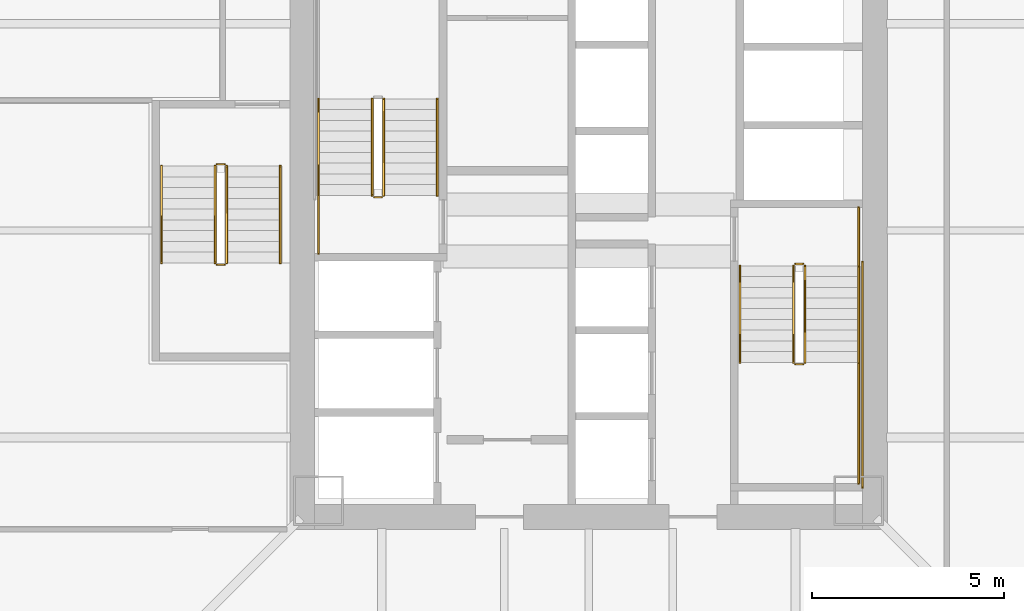
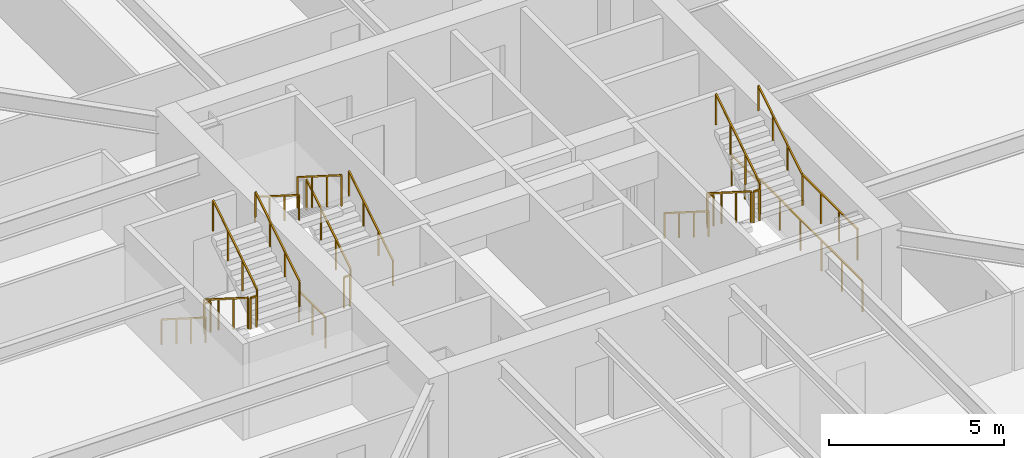
# One storey, part 39 of 45: 21 railings.
"""IFC4 building model written with IfcOpenShell, lengths in metres."""

from ifc_helpers import new_model, si_unit, direction, frame, origin, origin_2d, place, context, subcontext, project, spatial, rectangle, extrude, material, type_object, element, save


model = new_model("IFC4")

# Units and contexts
model_context = context("Model", 3, precision=1e-05, world=origin(), true_north=direction((0.0, 1.0)))
body_context = subcontext(model_context, "Body", "Model", "MODEL_VIEW")
ifc_project = project(units=[si_unit("LENGTHUNIT", "METRE"), si_unit("AREAUNIT", "SQUARE_METRE"), si_unit("VOLUMEUNIT", "CUBIC_METRE"), si_unit("PLANEANGLEUNIT", "RADIAN"), si_unit("MASSUNIT", "GRAM", prefix="KILO")], contexts=[model_context])

# Site, building, storey
site_placement = place(None, origin())
site = spatial("IfcSite", under=ifc_project, at=site_placement, CompositionType="ELEMENT")
building_placement = place(site_placement, origin())
building = spatial("IfcBuilding", under=site, at=building_placement, Name="Tashvorn Skyway Center", CompositionType="ELEMENT")
storey_placement = place(building_placement, frame((0.0, 0.0, 35.25)))
storey = spatial("IfcBuildingStorey", under=building, at=storey_placement, Name="L08", CompositionType="ELEMENT", Elevation=35.25)

# Railings
ifc_material_1 = material(Name="Brushed stainless steel 316", Category="steel")
railing_type_1 = type_object("IfcRailingType", Name="RAIL-HAND-920", PredefinedType="HANDRAIL", material=ifc_material_1)
railing_1_placement = place(storey_placement, frame((38.050048828125, 32.919921875, 0.177490234375)))
element("IfcRailing", 1, at=railing_1_placement, inside=storey, type_object=railing_type_1, Name="L08 ST-T1-1 stair handrail 1", PredefinedType="HANDRAIL", context=body_context, shape_type="SweptSolid", body=[
    extrude(rectangle(XDim=0.048095703125, YDim=0.048095703125, at=origin_2d()), frame((0.0, 0.0, 0.8759765625), z_axis=(0.0, 0.84460694969, 0.535386869969), x_axis=(-1.0, 0.0, 0.0)), (0.0, 0.0, 1.0), 2.983642578125),
    extrude(rectangle(XDim=0.0419921875, YDim=0.0419921875, at=origin_2d()), origin(), (0.0, 0.0, 1.0), 0.851806640625),
    extrude(rectangle(XDim=0.0419921875, YDim=0.0419921875, at=origin_2d()), frame((0.0, 0.840087890625, 0.532470703125)), (0.0, 0.0, 1.0), 0.851806640625),
    extrude(rectangle(XDim=0.0419921875, YDim=0.0419921875, at=origin_2d()), frame((0.0, 1.679931640625, 1.06494140625)), (0.0, 0.0, 1.0), 0.851806640625),
    extrude(rectangle(XDim=0.0419921875, YDim=0.0419921875, at=origin_2d()), frame((0.0, 2.52001953125, 1.597412109375)), (0.0, 0.0, 1.0), 0.851806640625),
])
railing_2_placement = place(storey_placement, frame((34.949951171875, 35.43994140625, 1.952392578125)))
element("IfcRailing", 2, at=railing_2_placement, inside=storey, type_object=railing_type_1, Name="L08 ST-T1-1 stair handrail 2", PredefinedType="HANDRAIL", context=body_context, shape_type="SweptSolid", body=[
    extrude(rectangle(XDim=0.048095703125, YDim=0.048095703125, at=origin_2d()), frame((0.0, 0.0, 0.8759765625), z_axis=(0.0, -0.84456994832, 0.535445237532), x_axis=(1.0, 0.0, 0.0)), (0.0, 0.0, 1.0), 2.98388671875),
    extrude(rectangle(XDim=0.0419921875, YDim=0.0419921875, at=origin_2d()), origin(), (0.0, 0.0, 1.0), 0.851806640625),
    extrude(rectangle(XDim=0.0419921875, YDim=0.0419921875, at=origin_2d()), frame((0.0, -0.840087890625, 0.532470703125)), (0.0, 0.0, 1.0), 0.851806640625),
    extrude(rectangle(XDim=0.0419921875, YDim=0.0419921875, at=origin_2d()), frame((0.0, -1.679931640625, 1.065185546875)), (0.0, 0.0, 1.0), 0.851806640625),
    extrude(rectangle(XDim=0.0419921875, YDim=0.0419921875, at=origin_2d()), frame((0.0, -2.52001953125, 1.59765625)), (0.0, 0.0, 1.0), 0.851806640625),
])
railing_3_placement = place(storey_placement, frame((45.949951171875, 31.080078125, 0.177490234375)))
element("IfcRailing", 3, at=railing_3_placement, inside=storey, type_object=railing_type_1, Name="L08 ST-T1-2 stair handrail 1", PredefinedType="HANDRAIL", context=body_context, shape_type="SweptSolid", body=[
    extrude(rectangle(XDim=0.048095703125, YDim=0.048095703125, at=origin_2d()), frame((0.0, 0.0, 0.8759765625), z_axis=(0.0, -0.84460694969, 0.535386869969), x_axis=(1.0, 0.0, 0.0)), (0.0, 0.0, 1.0), 2.983642578125),
    extrude(rectangle(XDim=0.0419921875, YDim=0.0419921875, at=origin_2d()), origin(), (0.0, 0.0, 1.0), 0.851806640625),
    extrude(rectangle(XDim=0.0419921875, YDim=0.0419921875, at=origin_2d()), frame((0.0, -0.840087890625, 0.532470703125)), (0.0, 0.0, 1.0), 0.851806640625),
    extrude(rectangle(XDim=0.0419921875, YDim=0.0419921875, at=origin_2d()), frame((0.0, -1.679931640625, 1.06494140625)), (0.0, 0.0, 1.0), 0.851806640625),
    extrude(rectangle(XDim=0.0419921875, YDim=0.0419921875, at=origin_2d()), frame((0.0, -2.52001953125, 1.597412109375)), (0.0, 0.0, 1.0), 0.851806640625),
])
railing_4_placement = place(storey_placement, frame((49.050048828125, 28.56005859375, 1.952392578125)))
element("IfcRailing", 4, at=railing_4_placement, inside=storey, type_object=railing_type_1, Name="L08 ST-T1-2 stair handrail 2", PredefinedType="HANDRAIL", context=body_context, shape_type="SweptSolid", body=[
    extrude(rectangle(XDim=0.048095703125, YDim=0.048095703125, at=origin_2d()), frame((0.0, 0.0, 0.8759765625), z_axis=(0.0, 0.84456994832, 0.535445237532), x_axis=(-1.0, 0.0, 0.0)), (0.0, 0.0, 1.0), 2.98388671875),
    extrude(rectangle(XDim=0.0419921875, YDim=0.0419921875, at=origin_2d()), origin(), (0.0, 0.0, 1.0), 0.851806640625),
    extrude(rectangle(XDim=0.0419921875, YDim=0.0419921875, at=origin_2d()), frame((0.0, 0.840087890625, 0.532470703125)), (0.0, 0.0, 1.0), 0.851806640625),
    extrude(rectangle(XDim=0.0419921875, YDim=0.0419921875, at=origin_2d()), frame((0.0, 1.679931640625, 1.065185546875)), (0.0, 0.0, 1.0), 0.851806640625),
    extrude(rectangle(XDim=0.0419921875, YDim=0.0419921875, at=origin_2d()), frame((0.0, 2.52001953125, 1.59765625)), (0.0, 0.0, 1.0), 0.851806640625),
])
railing_5_placement = place(storey_placement, frame((30.85009765625, 33.679931640625, 0.177490234375)))
element("IfcRailing", 5, at=railing_5_placement, inside=storey, type_object=railing_type_1, Name="L08 ST-T1-3 stair handrail 1", PredefinedType="HANDRAIL", context=body_context, shape_type="SweptSolid", body=[
    extrude(rectangle(XDim=0.048095703125, YDim=0.048095703125, at=origin_2d()), frame((0.0, 0.0, 0.8759765625), z_axis=(0.0, -0.84460694969, 0.535386869969), x_axis=(1.0, 0.0, 0.0)), (0.0, 0.0, 1.0), 2.983642578125),
    extrude(rectangle(XDim=0.0419921875, YDim=0.0419921875, at=origin_2d()), origin(), (0.0, 0.0, 1.0), 0.851806640625),
    extrude(rectangle(XDim=0.0419921875, YDim=0.0419921875, at=origin_2d()), frame((0.0, -0.840087890625, 0.532470703125)), (0.0, 0.0, 1.0), 0.851806640625),
    extrude(rectangle(XDim=0.0419921875, YDim=0.0419921875, at=origin_2d()), frame((0.0, -1.679931640625, 1.06494140625)), (0.0, 0.0, 1.0), 0.851806640625),
    extrude(rectangle(XDim=0.0419921875, YDim=0.0419921875, at=origin_2d()), frame((0.0, -2.52001953125, 1.597412109375)), (0.0, 0.0, 1.0), 0.851806640625),
])
railing_6_placement = place(storey_placement, frame((33.949951171875, 31.159912109375, 1.952392578125)))
element("IfcRailing", 6, at=railing_6_placement, inside=storey, type_object=railing_type_1, Name="L08 ST-T1-3 stair handrail 2", PredefinedType="HANDRAIL", context=body_context, shape_type="SweptSolid", body=[
    extrude(rectangle(XDim=0.048095703125, YDim=0.048095703125, at=origin_2d()), frame((0.0, 0.0, 0.8759765625), z_axis=(0.0, 0.84456994832, 0.535445237532), x_axis=(-1.0, 0.0, 0.0)), (0.0, 0.0, 1.0), 2.98388671875),
    extrude(rectangle(XDim=0.0419921875, YDim=0.0419921875, at=origin_2d()), origin(), (0.0, 0.0, 1.0), 0.851806640625),
    extrude(rectangle(XDim=0.0419921875, YDim=0.0419921875, at=origin_2d()), frame((0.0, 0.840087890625, 0.532470703125)), (0.0, 0.0, 1.0), 0.851806640625),
    extrude(rectangle(XDim=0.0419921875, YDim=0.0419921875, at=origin_2d()), frame((0.0, 1.679931640625, 1.065185546875)), (0.0, 0.0, 1.0), 0.851806640625),
    extrude(rectangle(XDim=0.0419921875, YDim=0.0419921875, at=origin_2d()), frame((0.0, 2.52001953125, 1.59765625)), (0.0, 0.0, 1.0), 0.851806640625),
])
ifc_material_2 = material(Name="Painted galvanized steel S355", Category="steel")
railing_type_2 = type_object("IfcRailingType", Name="RAIL-STGUARD-1100", PredefinedType="GUARDRAIL", material=ifc_material_2)
railing_7_placement = place(storey_placement, frame((36.64990234375, 32.919921875, 0.177490234375)))
element("IfcRailing", 7, at=railing_7_placement, inside=storey, type_object=railing_type_2, Name="L08 ST-T1-1 stair guard 1", PredefinedType="GUARDRAIL", context=body_context, shape_type="SweptSolid", body=[
    extrude(rectangle(XDim=0.048095703125, YDim=0.048095703125, at=origin_2d()), frame((0.0, 0.0, 1.076171875), z_axis=(0.0, 0.84460694969, 0.535386869969), x_axis=(-1.0, 0.0, 0.0)), (0.0, 0.0, 1.0), 2.983642578125),
    extrude(rectangle(XDim=0.0419921875, YDim=0.0419921875, at=origin_2d()), origin(), (0.0, 0.0, 1.0), 1.052001953125),
    extrude(rectangle(XDim=0.0419921875, YDim=0.0419921875, at=origin_2d()), frame((0.0, 0.840087890625, 0.532470703125)), (0.0, 0.0, 1.0), 1.052001953125),
    extrude(rectangle(XDim=0.0419921875, YDim=0.0419921875, at=origin_2d()), frame((0.0, 1.679931640625, 1.06494140625)), (0.0, 0.0, 1.0), 1.052001953125),
    extrude(rectangle(XDim=0.0419921875, YDim=0.0419921875, at=origin_2d()), frame((0.0, 2.52001953125, 1.597412109375)), (0.0, 0.0, 1.0), 1.052001953125),
])
railing_8_placement = place(storey_placement, frame((36.35009765625, 35.43994140625, 1.952392578125)))
element("IfcRailing", 8, at=railing_8_placement, inside=storey, type_object=railing_type_2, Name="L08 ST-T1-1 stair guard 4", PredefinedType="GUARDRAIL", context=body_context, shape_type="SweptSolid", body=[
    extrude(rectangle(XDim=0.048095703125, YDim=0.048095703125, at=origin_2d()), frame((0.0, 0.0, 1.076171875), z_axis=(0.0, -0.84456994832, 0.535445237532), x_axis=(1.0, 0.0, 0.0)), (0.0, 0.0, 1.0), 2.98388671875),
    extrude(rectangle(XDim=0.0419921875, YDim=0.0419921875, at=origin_2d()), origin(), (0.0, 0.0, 1.0), 1.052001953125),
    extrude(rectangle(XDim=0.0419921875, YDim=0.0419921875, at=origin_2d()), frame((0.0, -0.840087890625, 0.532470703125)), (0.0, 0.0, 1.0), 1.052001953125),
    extrude(rectangle(XDim=0.0419921875, YDim=0.0419921875, at=origin_2d()), frame((0.0, -1.679931640625, 1.065185546875)), (0.0, 0.0, 1.0), 1.052001953125),
    extrude(rectangle(XDim=0.0419921875, YDim=0.0419921875, at=origin_2d()), frame((0.0, -2.52001953125, 1.59765625)), (0.0, 0.0, 1.0), 1.052001953125),
])
railing_9_placement = place(storey_placement, frame((36.60009765625, 32.8701171875, 0.0)))
element("IfcRailing", 9, at=railing_9_placement, inside=storey, type_object=railing_type_2, Name="L08 ST-T1-1 stair guard 5", PredefinedType="GUARDRAIL", context=body_context, shape_type="SweptSolid", body=[
    extrude(rectangle(XDim=0.048095703125, YDim=0.048095703125, at=origin_2d()), frame((0.0, 0.0, 1.076171875), z_axis=(-1.0, 0.0, 0.0), x_axis=(0.0, -1.0, 0.0)), (0.0, 0.0, 1.0), 0.2001953125),
    extrude(rectangle(XDim=0.0419921875, YDim=0.0419921875, at=origin_2d()), origin(), (0.0, 0.0, 1.0), 1.052001953125),
    extrude(rectangle(XDim=0.0419921875, YDim=0.0419921875, at=origin_2d()), frame((-0.2001953125, 0.0, 0.0)), (0.0, 0.0, 1.0), 1.052001953125),
])
railing_10_placement = place(storey_placement, frame((34.949951171875, 31.39990234375, 0.0)))
element("IfcRailing", 10, at=railing_10_placement, inside=storey, type_object=railing_type_2, Name="L08 ST-T1-1 stair guard 6", PredefinedType="GUARDRAIL", context=body_context, shape_type="SweptSolid", body=[
    extrude(rectangle(XDim=0.048095703125, YDim=0.048095703125, at=origin_2d()), frame((0.0, 0.0, 1.076171875), z_axis=(0.0, 1.0, 0.0), x_axis=(-1.0, 0.0, 0.0)), (0.0, 0.0, 1.0), 1.52001953125),
    extrude(rectangle(XDim=0.0419921875, YDim=0.0419921875, at=origin_2d()), origin(), (0.0, 0.0, 1.0), 1.052001953125),
    extrude(rectangle(XDim=0.0419921875, YDim=0.0419921875, at=origin_2d()), frame((0.0, 0.760009765625, 0.0)), (0.0, 0.0, 1.0), 1.052001953125),
    extrude(rectangle(XDim=0.0419921875, YDim=0.0419921875, at=origin_2d()), frame((0.0, 1.52001953125, 0.0)), (0.0, 0.0, 1.0), 1.052001953125),
])
railing_11_placement = place(storey_placement, frame((47.35009765625, 31.080078125, 0.177490234375)))
element("IfcRailing", 11, at=railing_11_placement, inside=storey, type_object=railing_type_2, Name="L08 ST-T1-2 stair guard 1", PredefinedType="GUARDRAIL", context=body_context, shape_type="SweptSolid", body=[
    extrude(rectangle(XDim=0.048095703125, YDim=0.048095703125, at=origin_2d()), frame((0.0, 0.0, 1.076171875), z_axis=(0.0, -0.84460694969, 0.535386869969), x_axis=(1.0, 0.0, 0.0)), (0.0, 0.0, 1.0), 2.983642578125),
    extrude(rectangle(XDim=0.0419921875, YDim=0.0419921875, at=origin_2d()), origin(), (0.0, 0.0, 1.0), 1.052001953125),
    extrude(rectangle(XDim=0.0419921875, YDim=0.0419921875, at=origin_2d()), frame((0.0, -0.840087890625, 0.532470703125)), (0.0, 0.0, 1.0), 1.052001953125),
    extrude(rectangle(XDim=0.0419921875, YDim=0.0419921875, at=origin_2d()), frame((0.0, -1.679931640625, 1.06494140625)), (0.0, 0.0, 1.0), 1.052001953125),
    extrude(rectangle(XDim=0.0419921875, YDim=0.0419921875, at=origin_2d()), frame((0.0, -2.52001953125, 1.597412109375)), (0.0, 0.0, 1.0), 1.052001953125),
])
railing_12_placement = place(storey_placement, frame((47.39990234375, 28.510009765625, 1.77490234375)))
element("IfcRailing", 12, at=railing_12_placement, inside=storey, type_object=railing_type_2, Name="L08 ST-T1-2 stair guard 2", PredefinedType="GUARDRAIL", context=body_context, shape_type="SweptSolid", body=[
    extrude(rectangle(XDim=0.048095703125, YDim=0.048095703125, at=origin_2d()), frame((0.0, 0.0, 1.076171875), z_axis=(1.0, 0.0, 0.0), x_axis=(0.0, 1.0, 0.0)), (0.0, 0.0, 1.0), 0.2001953125),
    extrude(rectangle(XDim=0.0419921875, YDim=0.0419921875, at=origin_2d()), origin(), (0.0, 0.0, 1.0), 1.052001953125),
    extrude(rectangle(XDim=0.0419921875, YDim=0.0419921875, at=origin_2d()), frame((0.2001953125, 0.0, 0.0)), (0.0, 0.0, 1.0), 1.052001953125),
])
railing_13_placement = place(storey_placement, frame((49.050048828125, 28.56005859375, 1.77490234375)))
element("IfcRailing", 13, at=railing_13_placement, inside=storey, type_object=railing_type_2, Name="L08 ST-T1-2 stair guard 3", PredefinedType="GUARDRAIL", context=body_context, shape_type="SweptSolid", body=[
    extrude(rectangle(XDim=0.048095703125, YDim=0.048095703125, at=origin_2d()), frame((0.0, 0.0, 1.076171875), z_axis=(0.0, -1.0, 0.0), x_axis=(1.0, 0.0, 0.0)), (0.0, 0.0, 1.0), 3.16015625),
    extrude(rectangle(XDim=0.0419921875, YDim=0.0419921875, at=origin_2d()), origin(), (0.0, 0.0, 1.0), 1.052001953125),
    extrude(rectangle(XDim=0.0419921875, YDim=0.0419921875, at=origin_2d()), frame((0.0, -1.053466796875, 0.0)), (0.0, 0.0, 1.0), 1.052001953125),
    extrude(rectangle(XDim=0.0419921875, YDim=0.0419921875, at=origin_2d()), frame((0.0, -2.106689453125, 0.0)), (0.0, 0.0, 1.0), 1.052001953125),
    extrude(rectangle(XDim=0.0419921875, YDim=0.0419921875, at=origin_2d()), frame((0.0, -3.16015625, 0.0)), (0.0, 0.0, 1.0), 1.052001953125),
])
railing_14_placement = place(storey_placement, frame((47.64990234375, 28.56005859375, 1.952392578125)))
element("IfcRailing", 14, at=railing_14_placement, inside=storey, type_object=railing_type_2, Name="L08 ST-T1-2 stair guard 4", PredefinedType="GUARDRAIL", context=body_context, shape_type="SweptSolid", body=[
    extrude(rectangle(XDim=0.048095703125, YDim=0.048095703125, at=origin_2d()), frame((0.0, 0.0, 1.076171875), z_axis=(0.0, 0.84456994832, 0.535445237532), x_axis=(-1.0, 0.0, 0.0)), (0.0, 0.0, 1.0), 2.98388671875),
    extrude(rectangle(XDim=0.0419921875, YDim=0.0419921875, at=origin_2d()), origin(), (0.0, 0.0, 1.0), 1.052001953125),
    extrude(rectangle(XDim=0.0419921875, YDim=0.0419921875, at=origin_2d()), frame((0.0, 0.840087890625, 0.532470703125)), (0.0, 0.0, 1.0), 1.052001953125),
    extrude(rectangle(XDim=0.0419921875, YDim=0.0419921875, at=origin_2d()), frame((0.0, 1.679931640625, 1.065185546875)), (0.0, 0.0, 1.0), 1.052001953125),
    extrude(rectangle(XDim=0.0419921875, YDim=0.0419921875, at=origin_2d()), frame((0.0, 2.52001953125, 1.59765625)), (0.0, 0.0, 1.0), 1.052001953125),
])
railing_15_placement = place(storey_placement, frame((47.39990234375, 31.1298828125, 0.0)))
element("IfcRailing", 15, at=railing_15_placement, inside=storey, type_object=railing_type_2, Name="L08 ST-T1-2 stair guard 5", PredefinedType="GUARDRAIL", context=body_context, shape_type="SweptSolid", body=[
    extrude(rectangle(XDim=0.048095703125, YDim=0.048095703125, at=origin_2d()), frame((0.0, 0.0, 1.076171875), z_axis=(1.0, 0.0, 0.0), x_axis=(0.0, 1.0, 0.0)), (0.0, 0.0, 1.0), 0.2001953125),
    extrude(rectangle(XDim=0.0419921875, YDim=0.0419921875, at=origin_2d()), origin(), (0.0, 0.0, 1.0), 1.052001953125),
    extrude(rectangle(XDim=0.0419921875, YDim=0.0419921875, at=origin_2d()), frame((0.2001953125, 0.0, 0.0)), (0.0, 0.0, 1.0), 1.052001953125),
])
railing_16_placement = place(storey_placement, frame((49.050048828125, 32.60009765625, 0.0)))
element("IfcRailing", 16, at=railing_16_placement, inside=storey, type_object=railing_type_2, Name="L08 ST-T1-2 stair guard 6", PredefinedType="GUARDRAIL", context=body_context, shape_type="SweptSolid", body=[
    extrude(rectangle(XDim=0.048095703125, YDim=0.048095703125, at=origin_2d()), frame((0.0, 0.0, 1.076171875), z_axis=(0.0, -1.0, 0.0), x_axis=(1.0, 0.0, 0.0)), (0.0, 0.0, 1.0), 1.52001953125),
    extrude(rectangle(XDim=0.0419921875, YDim=0.0419921875, at=origin_2d()), origin(), (0.0, 0.0, 1.0), 1.052001953125),
    extrude(rectangle(XDim=0.0419921875, YDim=0.0419921875, at=origin_2d()), frame((0.0, -0.760009765625, 0.0)), (0.0, 0.0, 1.0), 1.052001953125),
    extrude(rectangle(XDim=0.0419921875, YDim=0.0419921875, at=origin_2d()), frame((0.0, -1.52001953125, 0.0)), (0.0, 0.0, 1.0), 1.052001953125),
])
railing_17_placement = place(storey_placement, frame((49.14990234375, 31.179931640625, 0.0)))
element("IfcRailing", 17, at=railing_17_placement, inside=storey, type_object=railing_type_2, Name="L08 ST-T1-2 stair guard 7", PredefinedType="GUARDRAIL", context=body_context, shape_type="SweptSolid", body=[
    extrude(rectangle(XDim=0.048095703125, YDim=0.048095703125, at=origin_2d()), frame((0.0, 0.0, 1.076171875), z_axis=(0.0, -1.0, 0.0), x_axis=(1.0, 0.0, 0.0)), (0.0, 0.0, 1.0), 5.8798828125),
    extrude(rectangle(XDim=0.0419921875, YDim=0.0419921875, at=origin_2d()), origin(), (0.0, 0.0, 1.0), 1.052001953125),
    extrude(rectangle(XDim=0.0419921875, YDim=0.0419921875, at=origin_2d()), frame((0.0, -1.176025390625, 0.0)), (0.0, 0.0, 1.0), 1.052001953125),
    extrude(rectangle(XDim=0.0419921875, YDim=0.0419921875, at=origin_2d()), frame((0.0, -2.35205078125, 0.0)), (0.0, 0.0, 1.0), 1.052001953125),
    extrude(rectangle(XDim=0.0419921875, YDim=0.0419921875, at=origin_2d()), frame((0.0, -3.52783203125, 0.0)), (0.0, 0.0, 1.0), 1.052001953125),
    extrude(rectangle(XDim=0.0419921875, YDim=0.0419921875, at=origin_2d()), frame((0.0, -4.703857421875, 0.0)), (0.0, 0.0, 1.0), 1.052001953125),
    extrude(rectangle(XDim=0.0419921875, YDim=0.0419921875, at=origin_2d()), frame((0.0, -5.8798828125, 0.0)), (0.0, 0.0, 1.0), 1.052001953125),
])
railing_18_placement = place(storey_placement, frame((32.25, 33.679931640625, 0.177490234375)))
element("IfcRailing", 18, at=railing_18_placement, inside=storey, type_object=railing_type_2, Name="L08 ST-T1-3 stair guard 1", PredefinedType="GUARDRAIL", context=body_context, shape_type="SweptSolid", body=[
    extrude(rectangle(XDim=0.048095703125, YDim=0.048095703125, at=origin_2d()), frame((0.0, 0.0, 1.076171875), z_axis=(0.0, -0.84460694969, 0.535386869969), x_axis=(1.0, 0.0, 0.0)), (0.0, 0.0, 1.0), 2.983642578125),
    extrude(rectangle(XDim=0.0419921875, YDim=0.0419921875, at=origin_2d()), origin(), (0.0, 0.0, 1.0), 1.052001953125),
    extrude(rectangle(XDim=0.0419921875, YDim=0.0419921875, at=origin_2d()), frame((0.0, -0.840087890625, 0.532470703125)), (0.0, 0.0, 1.0), 1.052001953125),
    extrude(rectangle(XDim=0.0419921875, YDim=0.0419921875, at=origin_2d()), frame((0.0, -1.679931640625, 1.06494140625)), (0.0, 0.0, 1.0), 1.052001953125),
    extrude(rectangle(XDim=0.0419921875, YDim=0.0419921875, at=origin_2d()), frame((0.0, -2.52001953125, 1.597412109375)), (0.0, 0.0, 1.0), 1.052001953125),
])
railing_19_placement = place(storey_placement, frame((32.300048828125, 31.110107421875, 1.77490234375)))
element("IfcRailing", 19, at=railing_19_placement, inside=storey, type_object=railing_type_2, Name="L08 ST-T1-3 stair guard 2", PredefinedType="GUARDRAIL", context=body_context, shape_type="SweptSolid", body=[
    extrude(rectangle(XDim=0.048095703125, YDim=0.048095703125, at=origin_2d()), frame((0.0, 0.0, 1.076171875), z_axis=(1.0, 0.0, 0.0), x_axis=(0.0, 1.0, 0.0)), (0.0, 0.0, 1.0), 0.199951171875),
    extrude(rectangle(XDim=0.0419921875, YDim=0.0419921875, at=origin_2d()), origin(), (0.0, 0.0, 1.0), 1.052001953125),
    extrude(rectangle(XDim=0.0419921875, YDim=0.0419921875, at=origin_2d()), frame((0.199951171875, 0.0, 0.0)), (0.0, 0.0, 1.0), 1.052001953125),
])
railing_20_placement = place(storey_placement, frame((32.550048828125, 31.159912109375, 1.952392578125)))
element("IfcRailing", 20, at=railing_20_placement, inside=storey, type_object=railing_type_2, Name="L08 ST-T1-3 stair guard 3", PredefinedType="GUARDRAIL", context=body_context, shape_type="SweptSolid", body=[
    extrude(rectangle(XDim=0.048095703125, YDim=0.048095703125, at=origin_2d()), frame((0.0, 0.0, 1.076171875), z_axis=(0.0, 0.84456994832, 0.535445237532), x_axis=(-1.0, 0.0, 0.0)), (0.0, 0.0, 1.0), 2.98388671875),
    extrude(rectangle(XDim=0.0419921875, YDim=0.0419921875, at=origin_2d()), origin(), (0.0, 0.0, 1.0), 1.052001953125),
    extrude(rectangle(XDim=0.0419921875, YDim=0.0419921875, at=origin_2d()), frame((0.0, 0.840087890625, 0.532470703125)), (0.0, 0.0, 1.0), 1.052001953125),
    extrude(rectangle(XDim=0.0419921875, YDim=0.0419921875, at=origin_2d()), frame((0.0, 1.679931640625, 1.065185546875)), (0.0, 0.0, 1.0), 1.052001953125),
    extrude(rectangle(XDim=0.0419921875, YDim=0.0419921875, at=origin_2d()), frame((0.0, 2.52001953125, 1.59765625)), (0.0, 0.0, 1.0), 1.052001953125),
])
railing_21_placement = place(storey_placement, frame((32.300048828125, 33.72998046875, 0.0)))
element("IfcRailing", 21, at=railing_21_placement, inside=storey, type_object=railing_type_2, Name="L08 ST-T1-3 stair guard 4", PredefinedType="GUARDRAIL", context=body_context, shape_type="SweptSolid", body=[
    extrude(rectangle(XDim=0.048095703125, YDim=0.048095703125, at=origin_2d()), frame((0.0, 0.0, 1.076171875), z_axis=(1.0, 0.0, 0.0), x_axis=(0.0, 1.0, 0.0)), (0.0, 0.0, 1.0), 0.199951171875),
    extrude(rectangle(XDim=0.0419921875, YDim=0.0419921875, at=origin_2d()), origin(), (0.0, 0.0, 1.0), 1.052001953125),
    extrude(rectangle(XDim=0.0419921875, YDim=0.0419921875, at=origin_2d()), frame((0.199951171875, 0.0, 0.0)), (0.0, 0.0, 1.0), 1.052001953125),
])

save(model, "model.ifc")
